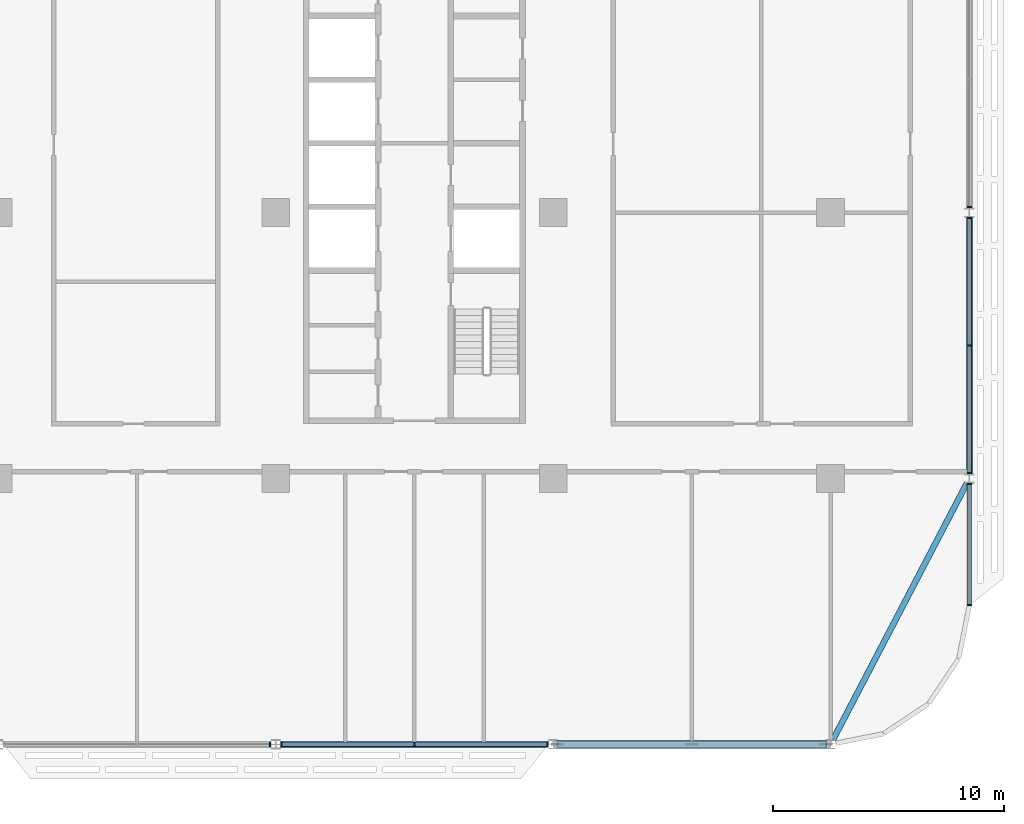
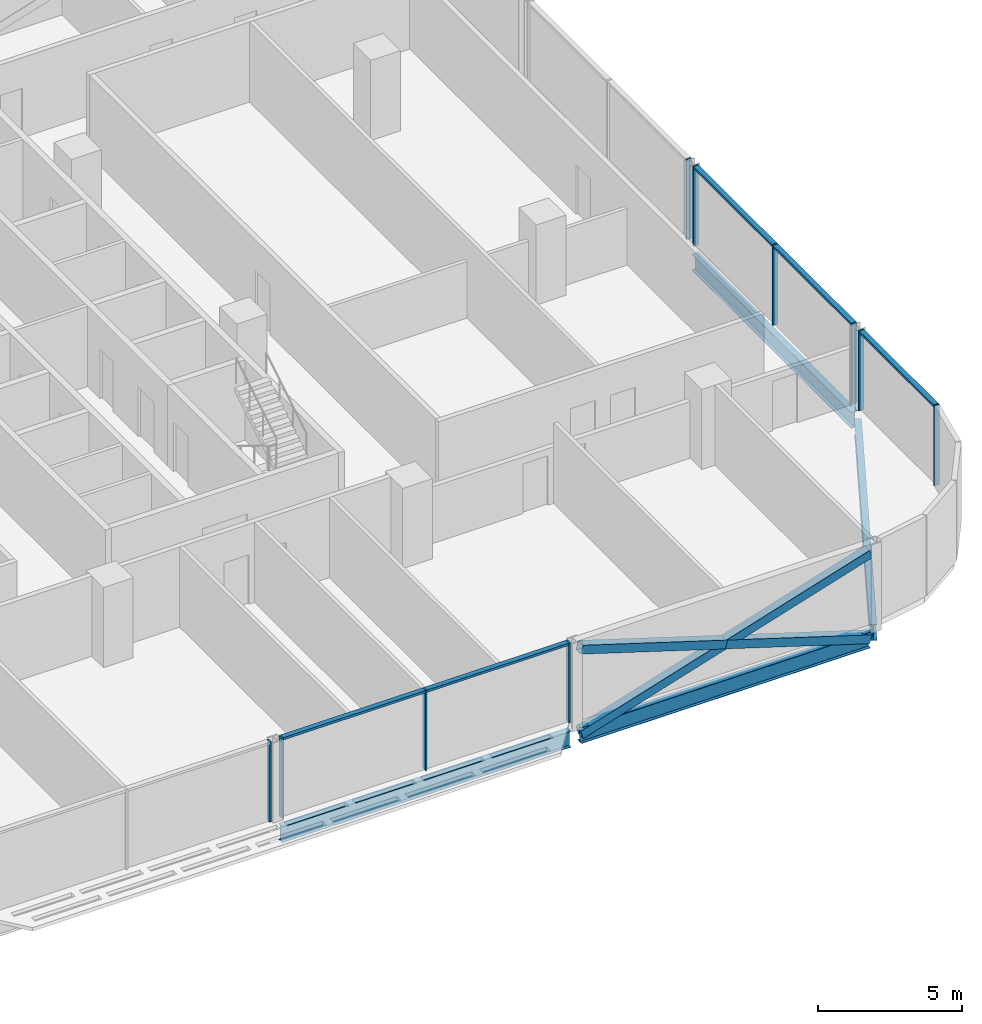
# One storey, part 8 of 28: 18 members, 4 beams, 5 elements without a shape of their own.
"""IFC4 building model written with IfcOpenShell, lengths in metres."""

from ifc_helpers import new_model, si_unit, direction, frame, origin, origin_2d, place, context, subcontext, project, spatial, rectangle, hollow_rectangle, i_section, extrude, material, material_profile, profile_set, type_object, element, aggregate, save


model = new_model("IFC4")

# Units and contexts
model_context = context("Model", 3, precision=1e-05, world=origin(), true_north=direction((0.0, 1.0)))
body_context = subcontext(model_context, "Body", "Model", "MODEL_VIEW")
ifc_project = project(units=[si_unit("LENGTHUNIT", "METRE"), si_unit("AREAUNIT", "SQUARE_METRE"), si_unit("VOLUMEUNIT", "CUBIC_METRE"), si_unit("PLANEANGLEUNIT", "RADIAN"), si_unit("MASSUNIT", "GRAM", prefix="KILO")], contexts=[model_context])

# Site, building, storey
site_placement = place(None, origin())
site = spatial("IfcSite", under=ifc_project, at=site_placement, CompositionType="ELEMENT")
building_placement = place(site_placement, origin())
building = spatial("IfcBuilding", under=site, at=building_placement, Name="Mahtab Terrace Research Tower", CompositionType="ELEMENT")
storey_placement = place(building_placement, frame((0.0, 0.0, 185.800048828125)))
storey = spatial("IfcBuildingStorey", under=building, at=storey_placement, Name="L44", CompositionType="ELEMENT", Elevation=185.800048828125)

# Members
ifc_material_1 = material(Name="Steel ASTM A500 Gr C", Category="steel")
ifc_material_profile_1 = material_profile(ifc_material_1, hollow_rectangle(XDim=0.355712890625, YDim=0.355712890625, WallThickness=0.015869140625, at=origin_2d()), Name="HSS14X14X5/8")
ifc_profile_set_1 = profile_set([ifc_material_profile_1], Name="Steel ASTM A500 Gr C")
member_type_1 = type_object("IfcMemberType", Name="HSS 14x14x5/8 brace XB141458", PredefinedType="BRACE", material=ifc_profile_set_1)
member_1_placement = place(storey_placement, frame((30.203125, -23.0, -0.61572265625), z_axis=(0.954708641588, 0.0, 0.297542282166), x_axis=(0.0, 1.0, 0.0)))
element("IfcMember", 1, at=member_1_placement, inside=storey, type_object=member_type_1, Name="Exoskeleton brace L44 18 a", PredefinedType="BRACE", context=body_context, shape_type="SweptSolid", body=[
    extrude(hollow_rectangle(XDim=0.355712890625, YDim=0.355712890625, WallThickness=0.015869140625, at=origin_2d()), origin(), (0.0, 0.0, 1.0), 12.143798828125),
])
for number, where, z_axis, x_axis, name in (
    (2, (41.796875, -23.0, -0.61572265625), (-0.954708641588, 0.0, 0.297542282166), (0.0, -1.0, 0.0), "Exoskeleton brace L44 18 b1"),
    (3, (36.0, -23.0, 1.19091796875), (-0.954708641588, 0.0, 0.297542282166), (0.0, -1.0, 0.0), "Exoskeleton brace L44 18 b2"),
):
    element("IfcMember", number, at=place(storey_placement, frame(where, z_axis=z_axis, x_axis=x_axis)), inside=storey, type_object=member_type_1, Name=name, PredefinedType="BRACE", context=body_context, shape_type="SweptSolid", body=[
        extrude(hollow_rectangle(XDim=0.355712890625, YDim=0.355712890625, WallThickness=0.015869140625, at=origin_2d()), origin(), (0.0, 0.0, 1.0), 6.07177734375),
    ])

# Curtain wall, member
ifc_material_2 = material(Name="Laboratory ribbon curtain wall")
curtain_wall_type = type_object("IfcCurtainWallType", Name="Laboratory ribbon curtain wall", PredefinedType="NOTDEFINED", material=ifc_material_2)
curtain_wall_1_placement = place(storey_placement, origin())
curtain_wall_1 = element("IfcCurtainWall", 4, at=curtain_wall_1_placement, inside=storey, type_object=curtain_wall_type, Name="EN.L44.13.27", PredefinedType="NOTDEFINED")
ifc_material_3 = material(Name="Natural anodised aluminium", Category="aluminium")
ifc_material_profile_2 = material_profile(ifc_material_3, rectangle(XDim=0.199951171875, YDim=0.06494140625, at=origin_2d()), Name="MULLION 65x200")
ifc_profile_set_2 = profile_set([ifc_material_profile_2], Name="Natural anodised aluminium")
member_type_2 = type_object("IfcMemberType", Name="Laboratory ribbon curtain wall mullion", PredefinedType="MULLION", material=ifc_profile_set_2)
member_2_placement = place(storey_placement, frame((17.759521484375, -23.0, 0.0), z_axis=(0.0, 0.0, 1.0), x_axis=(0.0, 1.0, 0.0)))
member_2 = element("IfcMember", 5, at=member_2_placement, type_object=member_type_2, Name="CWL-5 mullion 3", PredefinedType="MULLION", context=body_context, shape_type="SweptSolid", body=[
    extrude(rectangle(XDim=0.199951171875, YDim=0.06494140625, at=origin_2d()), origin(), (0.0, 0.0, 1.0), 3.39990234375),
])
aggregate(curtain_wall_1, [member_2])

# Curtain wall, members
curtain_wall_2_placement = place(storey_placement, origin())
curtain_wall_2 = element("IfcCurtainWall", 6, at=curtain_wall_2_placement, inside=storey, type_object=curtain_wall_type, Name="EN.L44.13.28", PredefinedType="NOTDEFINED")
member_3_placement = place(storey_placement, frame((18.240478515625, -23.0, 0.0), z_axis=(0.0, 0.0, 1.0), x_axis=(0.0, 1.0, 0.0)))
member_3 = element("IfcMember", 7, at=member_3_placement, type_object=member_type_2, Name="CWL-5 mullion 1", PredefinedType="MULLION", context=body_context, shape_type="SweptSolid", body=[
    extrude(rectangle(XDim=0.199951171875, YDim=0.06494140625, at=origin_2d()), origin(), (0.0, 0.0, 1.0), 3.39990234375),
])
member_4_placement = place(storey_placement, frame((24.0, -23.0, 0.0), z_axis=(0.0, 0.0, 1.0), x_axis=(0.0, 1.0, 0.0)))
member_4 = element("IfcMember", 8, at=member_4_placement, type_object=member_type_2, Name="CWL-5 mullion 2", PredefinedType="MULLION", context=body_context, shape_type="SweptSolid", body=[
    extrude(rectangle(XDim=0.199951171875, YDim=0.06494140625, at=origin_2d()), origin(), (0.0, 0.0, 1.0), 3.39990234375),
])
member_5_placement = place(storey_placement, frame((29.759521484375, -23.0, 0.0), z_axis=(0.0, 0.0, 1.0), x_axis=(0.0, 1.0, 0.0)))
member_5 = element("IfcMember", 9, at=member_5_placement, type_object=member_type_2, Name="CWL-5 mullion 3", PredefinedType="MULLION", context=body_context, shape_type="SweptSolid", body=[
    extrude(rectangle(XDim=0.199951171875, YDim=0.06494140625, at=origin_2d()), origin(), (0.0, 0.0, 1.0), 3.39990234375),
])

curtain_wall_3_placement = place(storey_placement, origin())
curtain_wall_3 = element("IfcCurtainWall", 10, at=curtain_wall_3_placement, inside=storey, type_object=curtain_wall_type, Name="EN.L44.18.34", PredefinedType="NOTDEFINED")
member_6_placement = place(storey_placement, frame((48.0, -16.967529296875, 0.0), z_axis=(0.0, 0.0, 1.0), x_axis=(-1.0, 0.0, 0.0)))
member_6 = element("IfcMember", 11, at=member_6_placement, type_object=member_type_2, Name="CWL-5 mullion 1", PredefinedType="MULLION", context=body_context, shape_type="SweptSolid", body=[
    extrude(rectangle(XDim=0.199951171875, YDim=0.06494140625, at=origin_2d()), origin(), (0.0, 0.0, 1.0), 3.39990234375),
])
member_7_placement = place(storey_placement, frame((48.0, -11.740478515625, 0.0), z_axis=(0.0, 0.0, 1.0), x_axis=(-1.0, 0.0, 0.0)))
member_7 = element("IfcMember", 12, at=member_7_placement, type_object=member_type_2, Name="CWL-5 mullion 2", PredefinedType="MULLION", context=body_context, shape_type="SweptSolid", body=[
    extrude(rectangle(XDim=0.199951171875, YDim=0.06494140625, at=origin_2d()), origin(), (0.0, 0.0, 1.0), 3.39990234375),
])

curtain_wall_4_placement = place(storey_placement, origin())
curtain_wall_4 = element("IfcCurtainWall", 13, at=curtain_wall_4_placement, inside=storey, type_object=curtain_wall_type, Name="EN.L44.18.35", PredefinedType="NOTDEFINED")
member_8_placement = place(storey_placement, frame((48.0, -11.259521484375, 0.0), z_axis=(0.0, 0.0, 1.0), x_axis=(-1.0, 0.0, 0.0)))
member_8 = element("IfcMember", 14, at=member_8_placement, type_object=member_type_2, Name="CWL-5 mullion 1", PredefinedType="MULLION", context=body_context, shape_type="SweptSolid", body=[
    extrude(rectangle(XDim=0.199951171875, YDim=0.06494140625, at=origin_2d()), origin(), (0.0, 0.0, 1.0), 3.39990234375),
])
member_9_placement = place(storey_placement, frame((48.0, -5.75, 0.0), z_axis=(0.0, 0.0, 1.0), x_axis=(-1.0, 0.0, 0.0)))
member_9 = element("IfcMember", 15, at=member_9_placement, type_object=member_type_2, Name="CWL-5 mullion 2", PredefinedType="MULLION", context=body_context, shape_type="SweptSolid", body=[
    extrude(rectangle(XDim=0.199951171875, YDim=0.06494140625, at=origin_2d()), origin(), (0.0, 0.0, 1.0), 3.39990234375),
])
member_10_placement = place(storey_placement, frame((48.0, -0.240478515625, 0.0), z_axis=(0.0, 0.0, 1.0), x_axis=(-1.0, 0.0, 0.0)))
member_10 = element("IfcMember", 16, at=member_10_placement, type_object=member_type_2, Name="CWL-5 mullion 3", PredefinedType="MULLION", context=body_context, shape_type="SweptSolid", body=[
    extrude(rectangle(XDim=0.199951171875, YDim=0.06494140625, at=origin_2d()), origin(), (0.0, 0.0, 1.0), 3.39990234375),
])

# Curtain wall, member
curtain_wall_5_placement = place(storey_placement, origin())
curtain_wall_5 = element("IfcCurtainWall", 17, at=curtain_wall_5_placement, inside=storey, type_object=curtain_wall_type, Name="EN.L44.18.36", PredefinedType="NOTDEFINED")
member_11_placement = place(storey_placement, frame((48.0, 0.240478515625, 0.0), z_axis=(0.0, 0.0, 1.0), x_axis=(-1.0, 0.0, 0.0)))
member_11 = element("IfcMember", 18, at=member_11_placement, type_object=member_type_2, Name="CWL-5 mullion 1", PredefinedType="MULLION", context=body_context, shape_type="SweptSolid", body=[
    extrude(rectangle(XDim=0.199951171875, YDim=0.06494140625, at=origin_2d()), origin(), (0.0, 0.0, 1.0), 3.39990234375),
])
aggregate(curtain_wall_5, [member_11])

# Member
ifc_material_profile_3 = material_profile(ifc_material_3, rectangle(XDim=0.199951171875, YDim=0.10009765625, at=origin_2d()), Name="TRANSOM 100x200")
ifc_profile_set_3 = profile_set([ifc_material_profile_3], Name="Natural anodised aluminium")
member_type_3 = type_object("IfcMemberType", Name="Laboratory ribbon curtain wall transom", PredefinedType="USERDEFINED", material=ifc_profile_set_3)
member_12_placement = place(storey_placement, frame((18.27294921875, -23.0, 3.349853515625), z_axis=(1.0, 0.0, 0.0), x_axis=(0.0, 1.0, 0.0)))
member_12 = element("IfcMember", 19, at=member_12_placement, type_object=member_type_3, Name="CWL-5 transom 1", ObjectType="TRANSOM", PredefinedType="USERDEFINED", context=body_context, shape_type="SweptSolid", body=[
    extrude(rectangle(XDim=0.199951171875, YDim=0.10009765625, at=origin_2d()), origin(), (0.0, 0.0, 1.0), 5.694580078125),
])

member_13_placement = place(storey_placement, frame((24.032470703125, -23.0, 3.349853515625), z_axis=(1.0, 0.0, 0.0), x_axis=(0.0, 1.0, 0.0)))
member_13 = element("IfcMember", 20, at=member_13_placement, type_object=member_type_3, Name="CWL-5 transom 2", ObjectType="TRANSOM", PredefinedType="USERDEFINED", context=body_context, shape_type="SweptSolid", body=[
    extrude(rectangle(XDim=0.199951171875, YDim=0.10009765625, at=origin_2d()), origin(), (0.0, 0.0, 1.0), 5.694580078125),
])

aggregate(curtain_wall_2, [member_3, member_4, member_5, member_12, member_13])

member_14_placement = place(storey_placement, frame((48.0, -16.93505859375, 3.349853515625), z_axis=(0.0, 1.0, 0.0), x_axis=(-1.0, 0.0, 0.0)))
member_14 = element("IfcMember", 21, at=member_14_placement, type_object=member_type_3, Name="CWL-5 transom 1", ObjectType="TRANSOM", PredefinedType="USERDEFINED", context=body_context, shape_type="SweptSolid", body=[
    extrude(rectangle(XDim=0.199951171875, YDim=0.10009765625, at=origin_2d()), origin(), (0.0, 0.0, 1.0), 5.162109375),
])

aggregate(curtain_wall_3, [member_6, member_7, member_14])

member_15_placement = place(storey_placement, frame((48.0, -11.22705078125, 3.349853515625), z_axis=(0.0, 1.0, 0.0), x_axis=(-1.0, 0.0, 0.0)))
member_15 = element("IfcMember", 22, at=member_15_placement, type_object=member_type_3, Name="CWL-5 transom 1", ObjectType="TRANSOM", PredefinedType="USERDEFINED", context=body_context, shape_type="SweptSolid", body=[
    extrude(rectangle(XDim=0.199951171875, YDim=0.10009765625, at=origin_2d()), origin(), (0.0, 0.0, 1.0), 5.444580078125),
])

member_16_placement = place(storey_placement, frame((48.0, -5.717529296875, 3.349853515625), z_axis=(0.0, 1.0, 0.0), x_axis=(-1.0, 0.0, 0.0)))
member_16 = element("IfcMember", 23, at=member_16_placement, type_object=member_type_3, Name="CWL-5 transom 2", ObjectType="TRANSOM", PredefinedType="USERDEFINED", context=body_context, shape_type="SweptSolid", body=[
    extrude(rectangle(XDim=0.199951171875, YDim=0.10009765625, at=origin_2d()), origin(), (0.0, 0.0, 1.0), 5.444580078125),
])

aggregate(curtain_wall_4, [member_8, member_9, member_10, member_15, member_16])

# Beams
ifc_material_4 = material(Name="Steel ASTM A992 Gr 50", Category="steel")
ifc_material_profile_4 = material_profile(ifc_material_4, i_section(OverallWidth=0.25390625, OverallDepth=0.67822265625, WebThickness=0.01171875, FlangeThickness=0.016357421875, at=origin_2d()), Name="W27X84")
ifc_profile_set_4 = profile_set([ifc_material_profile_4], Name="Steel ASTM A992 Gr 50")
beam_type = type_object("IfcBeamType", Name="W27x84 beam BS2784", PredefinedType="BEAM", material=ifc_profile_set_4)
for number, where, z_axis, x_axis, name in (
    (24, (18.203125, -23.0, -0.67919921875), (1.0, 0.0, 0.0), (0.0, 1.0, 0.0), "Spandrel beam L44 17"),
    (25, (30.203125, -23.0, -0.67919921875), (1.0, 0.0, 0.0), (0.0, 1.0, 0.0), "Spandrel beam L44 18"),
):
    element("IfcBeam", number, at=place(storey_placement, frame(where, z_axis=z_axis, x_axis=x_axis)), inside=storey, type_object=beam_type, Name=name, PredefinedType="BEAM", context=body_context, shape_type="SweptSolid", body=[
        extrude(i_section(OverallWidth=0.25390625, OverallDepth=0.67822265625, WebThickness=0.01171875, FlangeThickness=0.016357421875, at=origin_2d()), origin(), (0.0, 0.0, 1.0), 11.59375),
    ])
beam_1_placement = place(storey_placement, frame((42.108642578125, -22.791748046875, -0.67919921875), z_axis=(0.462567341525, 0.886584149731, 0.0), x_axis=(-0.886584149731, 0.462567341525, 0.0)))
element("IfcBeam", 26, at=beam_1_placement, inside=storey, type_object=beam_type, Name="Spandrel beam L44 19", PredefinedType="BEAM", context=body_context, shape_type="SweptSolid", body=[
    extrude(i_section(OverallWidth=0.25390625, OverallDepth=0.67822265625, WebThickness=0.01171875, FlangeThickness=0.016357421875, at=origin_2d()), origin(), (0.0, 0.0, 1.0), 12.50146484375),
])
beam_2_placement = place(storey_placement, frame((48.0, -11.291748046875, -0.67919921875), z_axis=(0.0, 1.0, 0.0), x_axis=(-1.0, 0.0, 0.0)))
element("IfcBeam", 27, at=beam_2_placement, inside=storey, type_object=beam_type, Name="Spandrel beam L44 20", PredefinedType="BEAM", context=body_context, shape_type="SweptSolid", body=[
    extrude(i_section(OverallWidth=0.25390625, OverallDepth=0.67822265625, WebThickness=0.01171875, FlangeThickness=0.016357421875, at=origin_2d()), origin(), (0.0, 0.0, 1.0), 11.08349609375),
])

save(model, "model.ifc")
